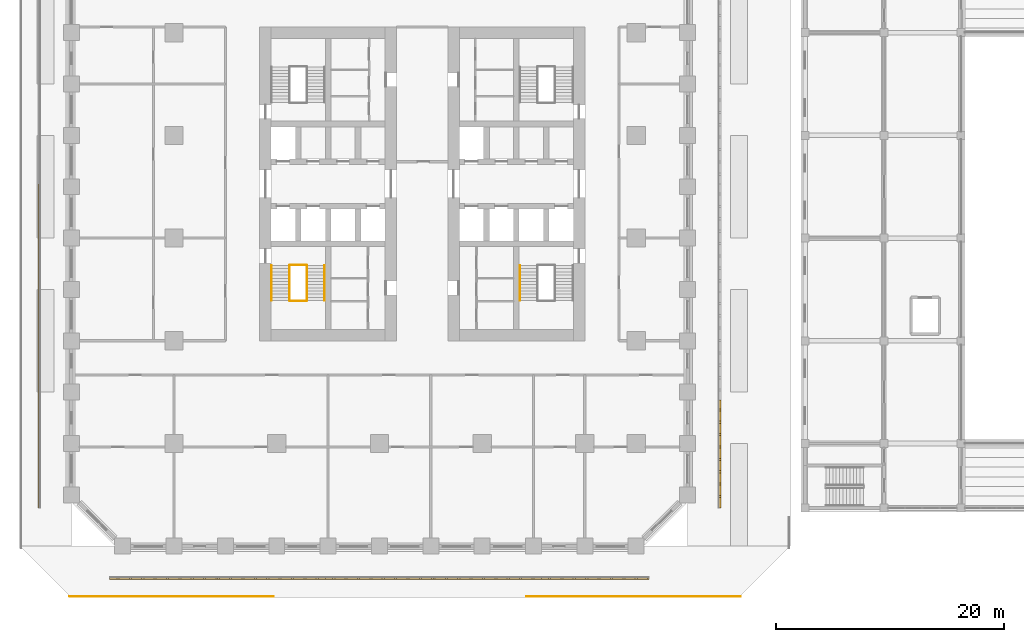
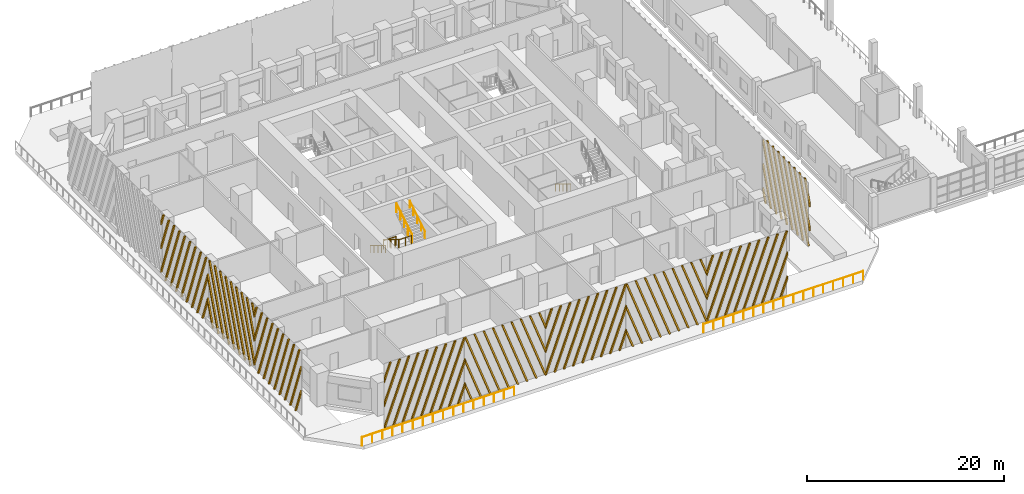
# One storey, part 26 of 36: 9 railings, 9 shading devices.
"""IFC4 building model written with IfcOpenShell, lengths in metres."""

from ifc_helpers import new_model, si_unit, direction, frame, origin, origin_2d, place, context, subcontext, project, spatial, polyline, circle, outline, extrude, source, transform, mapped, material, type_object, element, save


model = new_model("IFC4")

# Units and contexts
model_context = context("Model", 3, precision=1e-05, world=origin(), true_north=direction((0.0, 1.0)))
body_context = subcontext(model_context, "Body", "Model", "MODEL_VIEW")
ifc_project = project(units=[si_unit("LENGTHUNIT", "METRE"), si_unit("AREAUNIT", "SQUARE_METRE"), si_unit("VOLUMEUNIT", "CUBIC_METRE"), si_unit("PLANEANGLEUNIT", "RADIAN"), si_unit("MASSUNIT", "GRAM", prefix="KILO")], contexts=[model_context])

# Site, building, storey
site_placement = place(None, origin())
site = spatial("IfcSite", under=ifc_project, at=site_placement, CompositionType="ELEMENT")
building_placement = place(site_placement, origin())
building = spatial("IfcBuilding", under=site, at=building_placement, Name="Corbel Stack Research Tower", CompositionType="ELEMENT")
storey_placement = place(building_placement, frame((0.0, 0.0, 7.199951171875)))
storey = spatial("IfcBuildingStorey", under=building, at=storey_placement, Name="L01", CompositionType="ELEMENT", Elevation=7.199951171875)

# Railings
ifc_material_1 = material(Name="Steel S235", Category="steel")
railing_type_1 = type_object("IfcRailingType", Name="SR1 guard 1100", PredefinedType="GUARDRAIL", material=ifc_material_1)
railing_1_placement = place(storey_placement, frame((31.642333984375, -31.39990234375, 0.0)))
element("IfcRailing", 1, at=railing_1_placement, inside=storey, type_object=railing_type_1, Name="Garden deck guard 1", PredefinedType="GUARDRAIL", context=body_context, shape_type="SweptSolid", body=[
    extrude(circle(Radius=0.02392578125, at=origin_2d()), frame((0.0, 0.0, 1.076171875), z_axis=(-1.0, 0.0, 0.0), x_axis=(0.0, -1.0, 0.0)), (0.0, 0.0, 1.0), 18.742431640625),
    extrude(circle(Radius=0.02099609375, at=origin_2d()), origin(), (0.0, 0.0, 1.0), 1.052001953125),
    extrude(circle(Radius=0.02099609375, at=origin_2d()), frame((-1.17138671875, 0.0, 0.0)), (0.0, 0.0, 1.0), 1.052001953125),
    extrude(circle(Radius=0.02099609375, at=origin_2d()), frame((-2.3427734375, 0.0, 0.0)), (0.0, 0.0, 1.0), 1.052001953125),
    extrude(circle(Radius=0.02099609375, at=origin_2d()), frame((-3.51416015625, 0.0, 0.0)), (0.0, 0.0, 1.0), 1.052001953125),
    extrude(circle(Radius=0.02099609375, at=origin_2d()), frame((-4.685546875, 0.0, 0.0)), (0.0, 0.0, 1.0), 1.052001953125),
    extrude(circle(Radius=0.02099609375, at=origin_2d()), frame((-5.85693359375, 0.0, 0.0)), (0.0, 0.0, 1.0), 1.052001953125),
    extrude(circle(Radius=0.02099609375, at=origin_2d()), frame((-7.0283203125, 0.0, 0.0)), (0.0, 0.0, 1.0), 1.052001953125),
    extrude(circle(Radius=0.02099609375, at=origin_2d()), frame((-8.19970703125, 0.0, 0.0)), (0.0, 0.0, 1.0), 1.052001953125),
    extrude(circle(Radius=0.02099609375, at=origin_2d()), frame((-9.37109375, 0.0, 0.0)), (0.0, 0.0, 1.0), 1.052001953125),
    extrude(circle(Radius=0.02099609375, at=origin_2d()), frame((-10.542724609375, 0.0, 0.0)), (0.0, 0.0, 1.0), 1.052001953125),
    extrude(circle(Radius=0.02099609375, at=origin_2d()), frame((-11.714111328125, 0.0, 0.0)), (0.0, 0.0, 1.0), 1.052001953125),
    extrude(circle(Radius=0.02099609375, at=origin_2d()), frame((-12.885498046875, 0.0, 0.0)), (0.0, 0.0, 1.0), 1.052001953125),
    extrude(circle(Radius=0.02099609375, at=origin_2d()), frame((-14.056884765625, 0.0, 0.0)), (0.0, 0.0, 1.0), 1.052001953125),
    extrude(circle(Radius=0.02099609375, at=origin_2d()), frame((-15.228271484375, 0.0, 0.0)), (0.0, 0.0, 1.0), 1.052001953125),
    extrude(circle(Radius=0.02099609375, at=origin_2d()), frame((-16.399658203125, 0.0, 0.0)), (0.0, 0.0, 1.0), 1.052001953125),
    extrude(circle(Radius=0.02099609375, at=origin_2d()), frame((-17.571044921875, 0.0, 0.0)), (0.0, 0.0, 1.0), 1.052001953125),
    extrude(circle(Radius=0.02099609375, at=origin_2d()), frame((-18.742431640625, 0.0, 0.0)), (0.0, 0.0, 1.0), 1.052001953125),
])
railing_2_placement = place(storey_placement, frame((-9.300048828125, -31.39990234375, 0.0)))
element("IfcRailing", 2, at=railing_2_placement, inside=storey, type_object=railing_type_1, Name="Garden deck guard 2", PredefinedType="GUARDRAIL", context=body_context, shape_type="SweptSolid", body=[
    extrude(circle(Radius=0.02392578125, at=origin_2d()), frame((0.0, 0.0, 1.076171875), z_axis=(-1.0, 0.0, 0.0), x_axis=(0.0, -1.0, 0.0)), (0.0, 0.0, 1.0), 17.84228515625),
    extrude(circle(Radius=0.02099609375, at=origin_2d()), origin(), (0.0, 0.0, 1.0), 1.052001953125),
    extrude(circle(Radius=0.02099609375, at=origin_2d()), frame((-1.189453125, 0.0, 0.0)), (0.0, 0.0, 1.0), 1.052001953125),
    extrude(circle(Radius=0.02099609375, at=origin_2d()), frame((-2.37890625, 0.0, 0.0)), (0.0, 0.0, 1.0), 1.052001953125),
    extrude(circle(Radius=0.02099609375, at=origin_2d()), frame((-3.568359375, 0.0, 0.0)), (0.0, 0.0, 1.0), 1.052001953125),
    extrude(circle(Radius=0.02099609375, at=origin_2d()), frame((-4.758056640625, 0.0, 0.0)), (0.0, 0.0, 1.0), 1.052001953125),
    extrude(circle(Radius=0.02099609375, at=origin_2d()), frame((-5.947509765625, 0.0, 0.0)), (0.0, 0.0, 1.0), 1.052001953125),
    extrude(circle(Radius=0.02099609375, at=origin_2d()), frame((-7.136962890625, 0.0, 0.0)), (0.0, 0.0, 1.0), 1.052001953125),
    extrude(circle(Radius=0.02099609375, at=origin_2d()), frame((-8.326416015625, 0.0, 0.0)), (0.0, 0.0, 1.0), 1.052001953125),
    extrude(circle(Radius=0.02099609375, at=origin_2d()), frame((-9.515869140625, 0.0, 0.0)), (0.0, 0.0, 1.0), 1.052001953125),
    extrude(circle(Radius=0.02099609375, at=origin_2d()), frame((-10.705322265625, 0.0, 0.0)), (0.0, 0.0, 1.0), 1.052001953125),
    extrude(circle(Radius=0.02099609375, at=origin_2d()), frame((-11.894775390625, 0.0, 0.0)), (0.0, 0.0, 1.0), 1.052001953125),
    extrude(circle(Radius=0.02099609375, at=origin_2d()), frame((-13.084228515625, 0.0, 0.0)), (0.0, 0.0, 1.0), 1.052001953125),
    extrude(circle(Radius=0.02099609375, at=origin_2d()), frame((-14.27392578125, 0.0, 0.0)), (0.0, 0.0, 1.0), 1.052001953125),
    extrude(circle(Radius=0.02099609375, at=origin_2d()), frame((-15.46337890625, 0.0, 0.0)), (0.0, 0.0, 1.0), 1.052001953125),
    extrude(circle(Radius=0.02099609375, at=origin_2d()), frame((-16.65283203125, 0.0, 0.0)), (0.0, 0.0, 1.0), 1.052001953125),
    extrude(circle(Radius=0.02099609375, at=origin_2d()), frame((-17.84228515625, 0.0, 0.0)), (0.0, 0.0, 1.0), 1.052001953125),
])
ifc_material_2 = material(Name="Steel S355", Category="steel")
railing_type_2 = type_object("IfcRailingType", Name="Stair guard 1100", PredefinedType="GUARDRAIL", material=ifc_material_2)
railing_3_placement = place(storey_placement, frame((-7.89990234375, -2.39990234375, 0.1708984375)))
element("IfcRailing", 3, at=railing_3_placement, inside=storey, type_object=railing_type_2, Name="L01 ST-W1 stair guard 1", PredefinedType="GUARDRAIL", context=body_context, shape_type="SweptSolid", body=[
    extrude(circle(Radius=0.02392578125, at=origin_2d()), frame((0.0, 0.0, 1.076171875), z_axis=(0.0, -0.853666305674, 0.52082035152), x_axis=(1.0, 0.0, 0.0)), (0.0, 0.0, 1.0), 3.608154296875),
    extrude(circle(Radius=0.02099609375, at=origin_2d()), origin(), (0.0, 0.0, 1.0), 1.052001953125),
    extrude(circle(Radius=0.02099609375, at=origin_2d()), frame((0.0, -0.77001953125, 0.4697265625)), (0.0, 0.0, 1.0), 1.052001953125),
    extrude(circle(Radius=0.02099609375, at=origin_2d()), frame((0.0, -1.5400390625, 0.939453125)), (0.0, 0.0, 1.0), 1.052001953125),
    extrude(circle(Radius=0.02099609375, at=origin_2d()), frame((0.0, -2.31005859375, 1.409423828125)), (0.0, 0.0, 1.0), 1.052001953125),
    extrude(circle(Radius=0.02099609375, at=origin_2d()), frame((0.0, -3.080078125, 1.879150390625)), (0.0, 0.0, 1.0), 1.052001953125),
])
railing_4_placement = place(storey_placement, frame((-7.85009765625, -5.530029296875, 2.050048828125)))
element("IfcRailing", 4, at=railing_4_placement, inside=storey, type_object=railing_type_2, Name="L01 ST-W1 stair guard 2", PredefinedType="GUARDRAIL", context=body_context, shape_type="SweptSolid", body=[
    extrude(circle(Radius=0.02392578125, at=origin_2d()), frame((0.0, 0.0, 1.076171875), z_axis=(1.0, 0.0, 0.0), x_axis=(0.0, 1.0, 0.0)), (0.0, 0.0, 1.0), 1.4501953125),
    extrude(circle(Radius=0.02099609375, at=origin_2d()), origin(), (0.0, 0.0, 1.0), 1.052001953125),
    extrude(circle(Radius=0.02099609375, at=origin_2d()), frame((0.72509765625, 0.0, 0.0)), (0.0, 0.0, 1.0), 1.052001953125),
    extrude(circle(Radius=0.02099609375, at=origin_2d()), frame((1.4501953125, 0.0, 0.0)), (0.0, 0.0, 1.0), 1.052001953125),
])
railing_5_placement = place(storey_placement, frame((-6.35009765625, -5.47998046875, 2.220947265625)))
element("IfcRailing", 5, at=railing_5_placement, inside=storey, type_object=railing_type_2, Name="L01 ST-W1 stair guard 3", PredefinedType="GUARDRAIL", context=body_context, shape_type="SweptSolid", body=[
    extrude(circle(Radius=0.02392578125, at=origin_2d()), frame((0.0, 0.0, 1.076171875), z_axis=(0.0, 0.853666305674, 0.52082035152), x_axis=(-1.0, 0.0, 0.0)), (0.0, 0.0, 1.0), 3.608154296875),
    extrude(circle(Radius=0.02099609375, at=origin_2d()), origin(), (0.0, 0.0, 1.0), 1.052001953125),
    extrude(circle(Radius=0.02099609375, at=origin_2d()), frame((0.0, 0.77001953125, 0.4697265625)), (0.0, 0.0, 1.0), 1.052001953125),
    extrude(circle(Radius=0.02099609375, at=origin_2d()), frame((0.0, 1.5400390625, 0.939453125)), (0.0, 0.0, 1.0), 1.052001953125),
    extrude(circle(Radius=0.02099609375, at=origin_2d()), frame((0.0, 2.31005859375, 1.409423828125)), (0.0, 0.0, 1.0), 1.052001953125),
    extrude(circle(Radius=0.02099609375, at=origin_2d()), frame((0.0, 3.080078125, 1.879150390625)), (0.0, 0.0, 1.0), 1.052001953125),
])
railing_6_placement = place(storey_placement, frame((-7.85009765625, -2.35009765625, 0.0)))
element("IfcRailing", 6, at=railing_6_placement, inside=storey, type_object=railing_type_2, Name="L01 ST-W1 stair guard 4", PredefinedType="GUARDRAIL", context=body_context, shape_type="SweptSolid", body=[
    extrude(circle(Radius=0.02392578125, at=origin_2d()), frame((0.0, 0.0, 1.076171875), z_axis=(1.0, 0.0, 0.0), x_axis=(0.0, 1.0, 0.0)), (0.0, 0.0, 1.0), 1.4501953125),
    extrude(circle(Radius=0.02099609375, at=origin_2d()), origin(), (0.0, 0.0, 1.0), 1.052001953125),
    extrude(circle(Radius=0.02099609375, at=origin_2d()), frame((0.72509765625, 0.0, 0.0)), (0.0, 0.0, 1.0), 1.052001953125),
    extrude(circle(Radius=0.02099609375, at=origin_2d()), frame((1.4501953125, 0.0, 0.0)), (0.0, 0.0, 1.0), 1.052001953125),
])
ifc_material_3 = material(Name="Steel S355", Category="steel")
railing_type_3 = type_object("IfcRailingType", Name="Stair handrail 900", PredefinedType="HANDRAIL", material=ifc_material_3)
railing_7_placement = place(storey_placement, frame((-9.449951171875, -2.39990234375, 0.1708984375)))
element("IfcRailing", 7, at=railing_7_placement, inside=storey, type_object=railing_type_3, Name="L01 ST-W1 stair handrail 1", PredefinedType="HANDRAIL", context=body_context, shape_type="SweptSolid", body=[
    extrude(circle(Radius=0.02392578125, at=origin_2d()), frame((0.0, 0.0, 0.8759765625), z_axis=(0.0, -0.853666305674, 0.52082035152), x_axis=(1.0, 0.0, 0.0)), (0.0, 0.0, 1.0), 3.608154296875),
    extrude(circle(Radius=0.02099609375, at=origin_2d()), origin(), (0.0, 0.0, 1.0), 0.851806640625),
    extrude(circle(Radius=0.02099609375, at=origin_2d()), frame((0.0, -0.77001953125, 0.4697265625)), (0.0, 0.0, 1.0), 0.851806640625),
    extrude(circle(Radius=0.02099609375, at=origin_2d()), frame((0.0, -1.5400390625, 0.939453125)), (0.0, 0.0, 1.0), 0.851806640625),
    extrude(circle(Radius=0.02099609375, at=origin_2d()), frame((0.0, -2.31005859375, 1.409423828125)), (0.0, 0.0, 1.0), 0.851806640625),
    extrude(circle(Radius=0.02099609375, at=origin_2d()), frame((0.0, -3.080078125, 1.879150390625)), (0.0, 0.0, 1.0), 0.851806640625),
])
railing_8_placement = place(storey_placement, frame((-4.800048828125, -5.47998046875, 2.220947265625)))
element("IfcRailing", 8, at=railing_8_placement, inside=storey, type_object=railing_type_3, Name="L01 ST-W1 stair handrail 2", PredefinedType="HANDRAIL", context=body_context, shape_type="SweptSolid", body=[
    extrude(circle(Radius=0.02392578125, at=origin_2d()), frame((0.0, 0.0, 0.8759765625), z_axis=(0.0, 0.853666305674, 0.52082035152), x_axis=(-1.0, 0.0, 0.0)), (0.0, 0.0, 1.0), 3.608154296875),
    extrude(circle(Radius=0.02099609375, at=origin_2d()), origin(), (0.0, 0.0, 1.0), 0.851806640625),
    extrude(circle(Radius=0.02099609375, at=origin_2d()), frame((0.0, 0.77001953125, 0.4697265625)), (0.0, 0.0, 1.0), 0.851806640625),
    extrude(circle(Radius=0.02099609375, at=origin_2d()), frame((0.0, 1.5400390625, 0.939453125)), (0.0, 0.0, 1.0), 0.851806640625),
    extrude(circle(Radius=0.02099609375, at=origin_2d()), frame((0.0, 2.31005859375, 1.409423828125)), (0.0, 0.0, 1.0), 0.851806640625),
    extrude(circle(Radius=0.02099609375, at=origin_2d()), frame((0.0, 3.080078125, 1.879150390625)), (0.0, 0.0, 1.0), 0.851806640625),
])
railing_9_placement = place(storey_placement, frame((12.300048828125, -2.39990234375, 0.1708984375)))
element("IfcRailing", 9, at=railing_9_placement, inside=storey, type_object=railing_type_3, Name="L01 ST-E1 stair handrail 1", PredefinedType="HANDRAIL", context=body_context, shape_type="SweptSolid", body=[
    extrude(circle(Radius=0.02392578125, at=origin_2d()), frame((0.0, 0.0, 0.8759765625), z_axis=(0.0, -0.853666305674, 0.52082035152), x_axis=(1.0, 0.0, 0.0)), (0.0, 0.0, 1.0), 3.608154296875),
    extrude(circle(Radius=0.02099609375, at=origin_2d()), origin(), (0.0, 0.0, 1.0), 0.851806640625),
    extrude(circle(Radius=0.02099609375, at=origin_2d()), frame((0.0, -0.77001953125, 0.4697265625)), (0.0, 0.0, 1.0), 0.851806640625),
    extrude(circle(Radius=0.02099609375, at=origin_2d()), frame((0.0, -1.5400390625, 0.939453125)), (0.0, 0.0, 1.0), 0.851806640625),
    extrude(circle(Radius=0.02099609375, at=origin_2d()), frame((0.0, -2.31005859375, 1.409423828125)), (0.0, 0.0, 1.0), 0.851806640625),
    extrude(circle(Radius=0.02099609375, at=origin_2d()), frame((0.0, -3.080078125, 1.879150390625)), (0.0, 0.0, 1.0), 0.851806640625),
])

# Shading devices
ifc_material_4 = material(Name="Precast terracotta", Category="masonry")
shading_device_type = type_object("IfcShadingDeviceType", Name="Terracotta screen panel", PredefinedType="USERDEFINED", material=ifc_material_4)
shared_shape_1 = source(origin(), body_context, "Body", "SweptSolid", [
    extrude(outline(polyline([(0.819091796875, 7.949951171875), (0.629150390625, 7.949951171875), (0.0, 6.22119140625), (0.0, 5.69921875), (0.819091796875, 7.949951171875)])), frame((0.0, 0.0, 0.0), z_axis=(0.0, -1.0, 0.0), x_axis=(1.0, 0.0, 0.0)), (0.0, 0.0, 1.0), 0.179931640625),
    extrude(outline(polyline([(1.90380859375, 7.949951171875), (1.7138671875, 7.949951171875), (0.0, 3.2412109375), (0.0, 2.718994140625), (1.90380859375, 7.949951171875)])), frame((0.0, 0.0, 0.0), z_axis=(0.0, -1.0, 0.0), x_axis=(1.0, 0.0, 0.0)), (0.0, 0.0, 1.0), 0.179931640625),
    extrude(outline(polyline([(0.094970703125, 0.0), (2.988525390625, 7.949951171875), (2.798583984375, 7.949951171875), (0.0, 0.260986328125), (0.0, 0.0), (0.094970703125, 0.0)])), frame((0.0, 0.0, 0.0), z_axis=(0.0, -1.0, 0.0), x_axis=(1.0, 0.0, 0.0)), (0.0, 0.0, 1.0), 0.179931640625),
    extrude(outline(polyline([(1.1796875, 0.0), (4.0732421875, 7.949951171875), (3.88330078125, 7.949951171875), (0.98974609375, 0.0), (1.1796875, 0.0)])), frame((0.0, 0.0, 0.0), z_axis=(0.0, -1.0, 0.0), x_axis=(1.0, 0.0, 0.0)), (0.0, 0.0, 1.0), 0.179931640625),
    extrude(outline(polyline([(2.264404296875, 0.0), (5.157958984375, 7.949951171875), (4.968017578125, 7.949951171875), (2.07421875, 0.0), (2.264404296875, 0.0)])), frame((0.0, 0.0, 0.0), z_axis=(0.0, -1.0, 0.0), x_axis=(1.0, 0.0, 0.0)), (0.0, 0.0, 1.0), 0.179931640625),
    extrude(outline(polyline([(3.34912109375, 0.0), (6.24267578125, 7.949951171875), (6.052490234375, 7.949951171875), (3.158935546875, 0.0), (3.34912109375, 0.0)])), frame((0.0, 0.0, 0.0), z_axis=(0.0, -1.0, 0.0), x_axis=(1.0, 0.0, 0.0)), (0.0, 0.0, 1.0), 0.179931640625),
    extrude(outline(polyline([(4.43359375, 0.0), (7.3271484375, 7.949951171875), (7.13720703125, 7.949951171875), (4.24365234375, 0.0), (4.43359375, 0.0)])), frame((0.0, 0.0, 0.0), z_axis=(0.0, -1.0, 0.0), x_axis=(1.0, 0.0, 0.0)), (0.0, 0.0, 1.0), 0.179931640625),
    extrude(outline(polyline([(5.518310546875, 0.0), (8.411865234375, 7.949951171875), (8.221923828125, 7.949951171875), (5.328369140625, 0.0), (5.518310546875, 0.0)])), frame((0.0, 0.0, 0.0), z_axis=(0.0, -1.0, 0.0), x_axis=(1.0, 0.0, 0.0)), (0.0, 0.0, 1.0), 0.179931640625),
    extrude(outline(polyline([(6.60302734375, 0.0), (9.45556640625, 7.837646484375), (9.45556640625, 7.949951171875), (9.306640625, 7.949951171875), (6.4130859375, 0.0), (6.60302734375, 0.0)])), frame((0.0, 0.0, 0.0), z_axis=(0.0, -1.0, 0.0), x_axis=(1.0, 0.0, 0.0)), (0.0, 0.0, 1.0), 0.179931640625),
    extrude(outline(polyline([(7.687744140625, 0.0), (9.45556640625, 4.857421875), (9.45556640625, 5.37939453125), (7.497802734375, 0.0), (7.687744140625, 0.0)])), frame((0.0, 0.0, 0.0), z_axis=(0.0, -1.0, 0.0), x_axis=(1.0, 0.0, 0.0)), (0.0, 0.0, 1.0), 0.179931640625),
    extrude(outline(polyline([(8.772216796875, 0.0), (9.45556640625, 1.87744140625), (9.45556640625, 2.3994140625), (8.582275390625, 0.0), (8.772216796875, 0.0)])), frame((0.0, 0.0, 0.0), z_axis=(0.0, -1.0, 0.0), x_axis=(1.0, 0.0, 0.0)), (0.0, 0.0, 1.0), 0.179931640625),
])
for number, where, z_axis, x_axis, name in (
    (10, (-23.63916015625, -29.75, 0.0), (0.0, 0.0, 1.0), (1.0, 0.0, 0.0), "Terracotta screen L01 S1"),
    (11, (-4.727783203125, -29.75, 0.0), (0.0, 0.0, 1.0), (1.0, 0.0, 0.0), "Terracotta screen L01 S3"),
    (12, (14.18359375, -29.75, 0.0), (0.0, 0.0, 1.0), (1.0, 0.0, 0.0), "Terracotta screen L01 S5"),
):
    element("IfcShadingDevice", number, at=place(storey_placement, frame(where, z_axis=z_axis, x_axis=x_axis)), inside=storey, type_object=shading_device_type, Name=name, ObjectType="SCREEN", PredefinedType="USERDEFINED", context=body_context, shape_type="MappedRepresentation", body=[
        mapped(shared_shape_1, transform((0.0, 0.0, 0.0))),
    ])
shared_shape_2 = source(origin(), body_context, "Body", "SweptSolid", [
    extrude(outline(polyline([(0.873291015625, 0.0), (0.0, 2.3994140625), (0.0, 1.87744140625), (0.683349609375, 0.0), (0.873291015625, 0.0)])), frame((0.0, 0.0, 0.0), z_axis=(0.0, -1.0, 0.0), x_axis=(1.0, 0.0, 0.0)), (0.0, 0.0, 1.0), 0.179931640625),
    extrude(outline(polyline([(1.9580078125, 0.0), (0.0, 5.37939453125), (0.0, 4.857421875), (1.76806640625, 0.0), (1.9580078125, 0.0)])), frame((0.0, 0.0, 0.0), z_axis=(0.0, -1.0, 0.0), x_axis=(1.0, 0.0, 0.0)), (0.0, 0.0, 1.0), 0.179931640625),
    extrude(outline(polyline([(3.04248046875, 0.0), (0.149169921875, 7.949951171875), (0.0, 7.949951171875), (0.0, 7.837646484375), (2.8525390625, 0.0), (3.04248046875, 0.0)])), frame((0.0, 0.0, 0.0), z_axis=(0.0, -1.0, 0.0), x_axis=(1.0, 0.0, 0.0)), (0.0, 0.0, 1.0), 0.179931640625),
    extrude(outline(polyline([(4.127197265625, 0.0), (1.233642578125, 7.949951171875), (1.043701171875, 7.949951171875), (3.937255859375, 0.0), (4.127197265625, 0.0)])), frame((0.0, 0.0, 0.0), z_axis=(0.0, -1.0, 0.0), x_axis=(1.0, 0.0, 0.0)), (0.0, 0.0, 1.0), 0.179931640625),
    extrude(outline(polyline([(5.2119140625, 0.0), (2.318359375, 7.949951171875), (2.12841796875, 7.949951171875), (5.02197265625, 0.0), (5.2119140625, 0.0)])), frame((0.0, 0.0, 0.0), z_axis=(0.0, -1.0, 0.0), x_axis=(1.0, 0.0, 0.0)), (0.0, 0.0, 1.0), 0.179931640625),
    extrude(outline(polyline([(6.296630859375, 0.0), (3.403076171875, 7.949951171875), (3.213134765625, 7.949951171875), (6.106689453125, 0.0), (6.296630859375, 0.0)])), frame((0.0, 0.0, 0.0), z_axis=(0.0, -1.0, 0.0), x_axis=(1.0, 0.0, 0.0)), (0.0, 0.0, 1.0), 0.179931640625),
    extrude(outline(polyline([(7.38134765625, 0.0), (4.48779296875, 7.949951171875), (4.297607421875, 7.949951171875), (7.19140625, 0.0), (7.38134765625, 0.0)])), frame((0.0, 0.0, 0.0), z_axis=(0.0, -1.0, 0.0), x_axis=(1.0, 0.0, 0.0)), (0.0, 0.0, 1.0), 0.179931640625),
    extrude(outline(polyline([(8.466064453125, 0.0), (5.572509765625, 7.949951171875), (5.38232421875, 7.949951171875), (8.27587890625, 0.0), (8.466064453125, 0.0)])), frame((0.0, 0.0, 0.0), z_axis=(0.0, -1.0, 0.0), x_axis=(1.0, 0.0, 0.0)), (0.0, 0.0, 1.0), 0.179931640625),
    extrude(outline(polyline([(9.45556640625, 0.0), (9.45556640625, 0.260986328125), (6.656982421875, 7.949951171875), (6.467041015625, 7.949951171875), (9.360595703125, 0.0), (9.45556640625, 0.0)])), frame((0.0, 0.0, 0.0), z_axis=(0.0, -1.0, 0.0), x_axis=(1.0, 0.0, 0.0)), (0.0, 0.0, 1.0), 0.179931640625),
    extrude(outline(polyline([(7.74169921875, 7.949951171875), (7.5517578125, 7.949951171875), (9.45556640625, 2.718994140625), (9.45556640625, 3.2412109375), (7.74169921875, 7.949951171875)])), frame((0.0, 0.0, 0.0), z_axis=(0.0, -1.0, 0.0), x_axis=(1.0, 0.0, 0.0)), (0.0, 0.0, 1.0), 0.179931640625),
    extrude(outline(polyline([(8.826416015625, 7.949951171875), (8.636474609375, 7.949951171875), (9.45556640625, 5.69921875), (9.45556640625, 6.22119140625), (8.826416015625, 7.949951171875)])), frame((0.0, 0.0, 0.0), z_axis=(0.0, -1.0, 0.0), x_axis=(1.0, 0.0, 0.0)), (0.0, 0.0, 1.0), 0.179931640625),
])
for number, where, z_axis, x_axis, name in (
    (13, (-14.18359375, -29.75, 0.0), (0.0, 0.0, 1.0), (1.0, 0.0, 0.0), "Terracotta screen L01 S2"),
    (14, (4.727783203125, -29.75, 0.0), (0.0, 0.0, 1.0), (1.0, 0.0, 0.0), "Terracotta screen L01 S4"),
):
    element("IfcShadingDevice", number, at=place(storey_placement, frame(where, z_axis=z_axis, x_axis=x_axis)), inside=storey, type_object=shading_device_type, Name=name, ObjectType="SCREEN", PredefinedType="USERDEFINED", context=body_context, shape_type="MappedRepresentation", body=[
        mapped(shared_shape_2, transform((0.0, 0.0, 0.0))),
    ])
shared_shape_3 = source(origin(), body_context, "Body", "SweptSolid", [
    extrude(outline(polyline([(1.09033203125, 7.949951171875), (0.900390625, 7.949951171875), (0.0, 5.476318359375), (0.0, 4.9541015625), (1.09033203125, 7.949951171875)])), frame((0.0, 0.0, 0.0), z_axis=(0.0, -1.0, 0.0), x_axis=(1.0, 0.0, 0.0)), (0.0, 0.0, 1.0), 0.179931640625),
    extrude(outline(polyline([(2.175048828125, 7.949951171875), (1.985107421875, 7.949951171875), (0.0, 2.49609375), (0.0, 1.97412109375), (2.175048828125, 7.949951171875)])), frame((0.0, 0.0, 0.0), z_axis=(0.0, -1.0, 0.0), x_axis=(1.0, 0.0, 0.0)), (0.0, 0.0, 1.0), 0.179931640625),
    extrude(outline(polyline([(0.3662109375, 0.0), (3.259765625, 7.949951171875), (3.069580078125, 7.949951171875), (0.17626953125, 0.0), (0.3662109375, 0.0)])), frame((0.0, 0.0, 0.0), z_axis=(0.0, -1.0, 0.0), x_axis=(1.0, 0.0, 0.0)), (0.0, 0.0, 1.0), 0.179931640625),
    extrude(outline(polyline([(1.45068359375, 0.0), (4.344482421875, 7.949951171875), (4.154296875, 7.949951171875), (1.2607421875, 0.0), (1.45068359375, 0.0)])), frame((0.0, 0.0, 0.0), z_axis=(0.0, -1.0, 0.0), x_axis=(1.0, 0.0, 0.0)), (0.0, 0.0, 1.0), 0.179931640625),
    extrude(outline(polyline([(2.535400390625, 0.0), (5.42919921875, 7.949951171875), (5.239013671875, 7.949951171875), (2.345458984375, 0.0), (2.535400390625, 0.0)])), frame((0.0, 0.0, 0.0), z_axis=(0.0, -1.0, 0.0), x_axis=(1.0, 0.0, 0.0)), (0.0, 0.0, 1.0), 0.179931640625),
    extrude(outline(polyline([(3.6201171875, 0.0), (6.513671875, 7.949951171875), (6.32373046875, 7.949951171875), (3.43017578125, 0.0), (3.6201171875, 0.0)])), frame((0.0, 0.0, 0.0), z_axis=(0.0, -1.0, 0.0), x_axis=(1.0, 0.0, 0.0)), (0.0, 0.0, 1.0), 0.179931640625),
    extrude(outline(polyline([(4.704833984375, 0.0), (7.598388671875, 7.949951171875), (7.408447265625, 7.949951171875), (4.514892578125, 0.0), (4.704833984375, 0.0)])), frame((0.0, 0.0, 0.0), z_axis=(0.0, -1.0, 0.0), x_axis=(1.0, 0.0, 0.0)), (0.0, 0.0, 1.0), 0.179931640625),
    extrude(outline(polyline([(5.78955078125, 0.0), (8.68310546875, 7.949951171875), (8.4931640625, 7.949951171875), (5.599609375, 0.0), (5.78955078125, 0.0)])), frame((0.0, 0.0, 0.0), z_axis=(0.0, -1.0, 0.0), x_axis=(1.0, 0.0, 0.0)), (0.0, 0.0, 1.0), 0.179931640625),
    extrude(outline(polyline([(6.874267578125, 0.0), (9.45556640625, 7.092529296875), (9.45556640625, 7.614501953125), (6.68408203125, 0.0), (6.874267578125, 0.0)])), frame((0.0, 0.0, 0.0), z_axis=(0.0, -1.0, 0.0), x_axis=(1.0, 0.0, 0.0)), (0.0, 0.0, 1.0), 0.179931640625),
    extrude(outline(polyline([(7.958740234375, 0.0), (9.45556640625, 4.1123046875), (9.45556640625, 4.634521484375), (7.768798828125, 0.0), (7.958740234375, 0.0)])), frame((0.0, 0.0, 0.0), z_axis=(0.0, -1.0, 0.0), x_axis=(1.0, 0.0, 0.0)), (0.0, 0.0, 1.0), 0.179931640625),
    extrude(outline(polyline([(9.04345703125, 0.0), (9.45556640625, 1.13232421875), (9.45556640625, 1.654296875), (8.853515625, 0.0), (9.04345703125, 0.0)])), frame((0.0, 0.0, 0.0), z_axis=(0.0, -1.0, 0.0), x_axis=(1.0, 0.0, 0.0)), (0.0, 0.0, 1.0), 0.179931640625),
])
shading_device_1_placement = place(storey_placement, frame((29.75, -23.63916015625, 0.0), z_axis=(0.0, 0.0, 1.0), x_axis=(0.0, 1.0, 0.0)))
element("IfcShadingDevice", 15, at=shading_device_1_placement, inside=storey, type_object=shading_device_type, Name="Terracotta screen L01 E1", ObjectType="SCREEN", PredefinedType="USERDEFINED", context=body_context, shape_type="MappedRepresentation", body=[
    mapped(shared_shape_3, transform((0.0, 0.0, 0.0))),
])
shared_shape_4 = source(origin(), body_context, "Body", "SweptSolid", [
    extrude(outline(polyline([(0.548095703125, 7.949951171875), (0.358154296875, 7.949951171875), (0.0, 6.96630859375), (0.0, 6.444091796875), (0.548095703125, 7.949951171875)])), frame((0.0, 0.0, 0.0), z_axis=(0.0, -1.0, 0.0), x_axis=(1.0, 0.0, 0.0)), (0.0, 0.0, 1.0), 0.179931640625),
    extrude(outline(polyline([(1.6328125, 7.949951171875), (1.442626953125, 7.949951171875), (0.0, 3.986083984375), (0.0, 3.464111328125), (1.6328125, 7.949951171875)])), frame((0.0, 0.0, 0.0), z_axis=(0.0, -1.0, 0.0), x_axis=(1.0, 0.0, 0.0)), (0.0, 0.0, 1.0), 0.179931640625),
    extrude(outline(polyline([(2.71728515625, 7.949951171875), (2.52734375, 7.949951171875), (0.0, 1.006103515625), (0.0, 0.48388671875), (2.71728515625, 7.949951171875)])), frame((0.0, 0.0, 0.0), z_axis=(0.0, -1.0, 0.0), x_axis=(1.0, 0.0, 0.0)), (0.0, 0.0, 1.0), 0.179931640625),
    extrude(outline(polyline([(0.908447265625, 0.0), (3.802001953125, 7.949951171875), (3.612060546875, 7.949951171875), (0.718505859375, 0.0), (0.908447265625, 0.0)])), frame((0.0, 0.0, 0.0), z_axis=(0.0, -1.0, 0.0), x_axis=(1.0, 0.0, 0.0)), (0.0, 0.0, 1.0), 0.179931640625),
    extrude(outline(polyline([(1.9931640625, 0.0), (4.88671875, 7.949951171875), (4.69677734375, 7.949951171875), (1.80322265625, 0.0), (1.9931640625, 0.0)])), frame((0.0, 0.0, 0.0), z_axis=(0.0, -1.0, 0.0), x_axis=(1.0, 0.0, 0.0)), (0.0, 0.0, 1.0), 0.179931640625),
    extrude(outline(polyline([(3.077880859375, 0.0), (5.971435546875, 7.949951171875), (5.781494140625, 7.949951171875), (2.8876953125, 0.0), (3.077880859375, 0.0)])), frame((0.0, 0.0, 0.0), z_axis=(0.0, -1.0, 0.0), x_axis=(1.0, 0.0, 0.0)), (0.0, 0.0, 1.0), 0.179931640625),
    extrude(outline(polyline([(4.16259765625, 0.0), (7.05615234375, 7.949951171875), (6.8662109375, 7.949951171875), (3.972412109375, 0.0), (4.16259765625, 0.0)])), frame((0.0, 0.0, 0.0), z_axis=(0.0, -1.0, 0.0), x_axis=(1.0, 0.0, 0.0)), (0.0, 0.0, 1.0), 0.179931640625),
    extrude(outline(polyline([(5.247314453125, 0.0), (8.140625, 7.949951171875), (7.95068359375, 7.949951171875), (5.05712890625, 0.0), (5.247314453125, 0.0)])), frame((0.0, 0.0, 0.0), z_axis=(0.0, -1.0, 0.0), x_axis=(1.0, 0.0, 0.0)), (0.0, 0.0, 1.0), 0.179931640625),
    extrude(outline(polyline([(6.331787109375, 0.0), (9.225341796875, 7.949951171875), (9.035400390625, 7.949951171875), (6.141845703125, 0.0), (6.331787109375, 0.0)])), frame((0.0, 0.0, 0.0), z_axis=(0.0, -1.0, 0.0), x_axis=(1.0, 0.0, 0.0)), (0.0, 0.0, 1.0), 0.179931640625),
    extrude(outline(polyline([(7.41650390625, 0.0), (9.45556640625, 5.6025390625), (9.45556640625, 6.12451171875), (7.2265625, 0.0), (7.41650390625, 0.0)])), frame((0.0, 0.0, 0.0), z_axis=(0.0, -1.0, 0.0), x_axis=(1.0, 0.0, 0.0)), (0.0, 0.0, 1.0), 0.179931640625),
    extrude(outline(polyline([(8.501220703125, 0.0), (9.45556640625, 2.622314453125), (9.45556640625, 3.144287109375), (8.311279296875, 0.0), (8.501220703125, 0.0)])), frame((0.0, 0.0, 0.0), z_axis=(0.0, -1.0, 0.0), x_axis=(1.0, 0.0, 0.0)), (0.0, 0.0, 1.0), 0.179931640625),
])
for number, where, z_axis, x_axis, name in (
    (16, (-29.75, 4.727783203125, 0.0), (0.0, 0.0, 1.0), (0.0, -1.0, 0.0), "Terracotta screen L01 W3"),
    (17, (-29.75, -14.18359375, 0.0), (0.0, 0.0, 1.0), (0.0, -1.0, 0.0), "Terracotta screen L01 W5"),
):
    element("IfcShadingDevice", number, at=place(storey_placement, frame(where, z_axis=z_axis, x_axis=x_axis)), inside=storey, type_object=shading_device_type, Name=name, ObjectType="SCREEN", PredefinedType="USERDEFINED", context=body_context, shape_type="MappedRepresentation", body=[
        mapped(shared_shape_4, transform((0.0, 0.0, 0.0))),
    ])
shared_shape_5 = source(origin(), body_context, "Body", "SweptSolid", [
    extrude(outline(polyline([(1.14453125, 0.0), (0.0, 3.144287109375), (0.0, 2.622314453125), (0.95458984375, 0.0), (1.14453125, 0.0)])), frame((0.0, 0.0, 0.0), z_axis=(0.0, -1.0, 0.0), x_axis=(1.0, 0.0, 0.0)), (0.0, 0.0, 1.0), 0.179931640625),
    extrude(outline(polyline([(2.22900390625, 0.0), (0.0, 6.12451171875), (0.0, 5.6025390625), (2.0390625, 0.0), (2.22900390625, 0.0)])), frame((0.0, 0.0, 0.0), z_axis=(0.0, -1.0, 0.0), x_axis=(1.0, 0.0, 0.0)), (0.0, 0.0, 1.0), 0.179931640625),
    extrude(outline(polyline([(3.313720703125, 0.0), (0.420166015625, 7.949951171875), (0.230224609375, 7.949951171875), (3.123779296875, 0.0), (3.313720703125, 0.0)])), frame((0.0, 0.0, 0.0), z_axis=(0.0, -1.0, 0.0), x_axis=(1.0, 0.0, 0.0)), (0.0, 0.0, 1.0), 0.179931640625),
    extrude(outline(polyline([(4.3984375, 0.0), (1.5048828125, 7.949951171875), (1.31494140625, 7.949951171875), (4.20849609375, 0.0), (4.3984375, 0.0)])), frame((0.0, 0.0, 0.0), z_axis=(0.0, -1.0, 0.0), x_axis=(1.0, 0.0, 0.0)), (0.0, 0.0, 1.0), 0.179931640625),
    extrude(outline(polyline([(5.483154296875, 0.0), (2.589599609375, 7.949951171875), (2.399658203125, 7.949951171875), (5.293212890625, 0.0), (5.483154296875, 0.0)])), frame((0.0, 0.0, 0.0), z_axis=(0.0, -1.0, 0.0), x_axis=(1.0, 0.0, 0.0)), (0.0, 0.0, 1.0), 0.179931640625),
    extrude(outline(polyline([(6.56787109375, 0.0), (3.67431640625, 7.949951171875), (3.484130859375, 7.949951171875), (6.377685546875, 0.0), (6.56787109375, 0.0)])), frame((0.0, 0.0, 0.0), z_axis=(0.0, -1.0, 0.0), x_axis=(1.0, 0.0, 0.0)), (0.0, 0.0, 1.0), 0.179931640625),
    extrude(outline(polyline([(7.652587890625, 0.0), (4.7587890625, 7.949951171875), (4.56884765625, 7.949951171875), (7.46240234375, 0.0), (7.652587890625, 0.0)])), frame((0.0, 0.0, 0.0), z_axis=(0.0, -1.0, 0.0), x_axis=(1.0, 0.0, 0.0)), (0.0, 0.0, 1.0), 0.179931640625),
    extrude(outline(polyline([(8.737060546875, 0.0), (5.843505859375, 7.949951171875), (5.653564453125, 7.949951171875), (8.547119140625, 0.0), (8.737060546875, 0.0)])), frame((0.0, 0.0, 0.0), z_axis=(0.0, -1.0, 0.0), x_axis=(1.0, 0.0, 0.0)), (0.0, 0.0, 1.0), 0.179931640625),
    extrude(outline(polyline([(6.92822265625, 7.949951171875), (6.73828125, 7.949951171875), (9.45556640625, 0.48388671875), (9.45556640625, 1.006103515625), (6.92822265625, 7.949951171875)])), frame((0.0, 0.0, 0.0), z_axis=(0.0, -1.0, 0.0), x_axis=(1.0, 0.0, 0.0)), (0.0, 0.0, 1.0), 0.179931640625),
    extrude(outline(polyline([(8.012939453125, 7.949951171875), (7.822998046875, 7.949951171875), (9.45556640625, 3.464111328125), (9.45556640625, 3.986083984375), (8.012939453125, 7.949951171875)])), frame((0.0, 0.0, 0.0), z_axis=(0.0, -1.0, 0.0), x_axis=(1.0, 0.0, 0.0)), (0.0, 0.0, 1.0), 0.179931640625),
    extrude(outline(polyline([(9.09765625, 7.949951171875), (8.90771484375, 7.949951171875), (9.45556640625, 6.444091796875), (9.45556640625, 6.96630859375), (9.09765625, 7.949951171875)])), frame((0.0, 0.0, 0.0), z_axis=(0.0, -1.0, 0.0), x_axis=(1.0, 0.0, 0.0)), (0.0, 0.0, 1.0), 0.179931640625),
])
shading_device_2_placement = place(storey_placement, frame((-29.75, -4.727783203125, 0.0), z_axis=(0.0, 0.0, 1.0), x_axis=(0.0, -1.0, 0.0)))
element("IfcShadingDevice", 18, at=shading_device_2_placement, inside=storey, type_object=shading_device_type, Name="Terracotta screen L01 W4", ObjectType="SCREEN", PredefinedType="USERDEFINED", context=body_context, shape_type="MappedRepresentation", body=[
    mapped(shared_shape_5, transform((0.0, 0.0, 0.0))),
])

save(model, "model.ifc")
